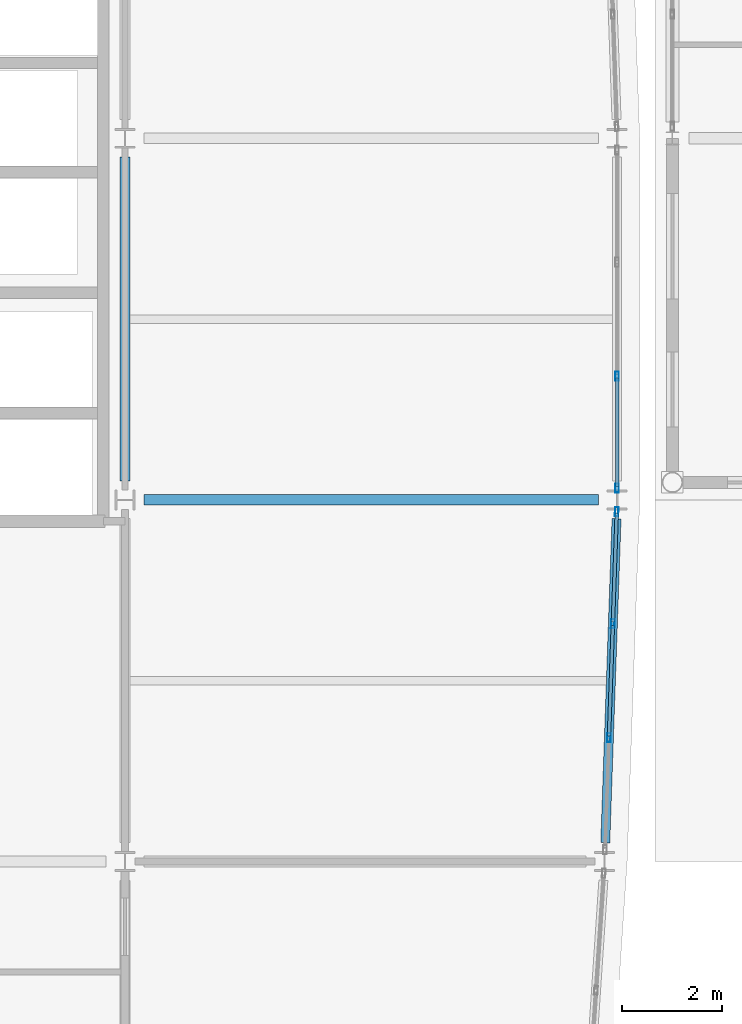
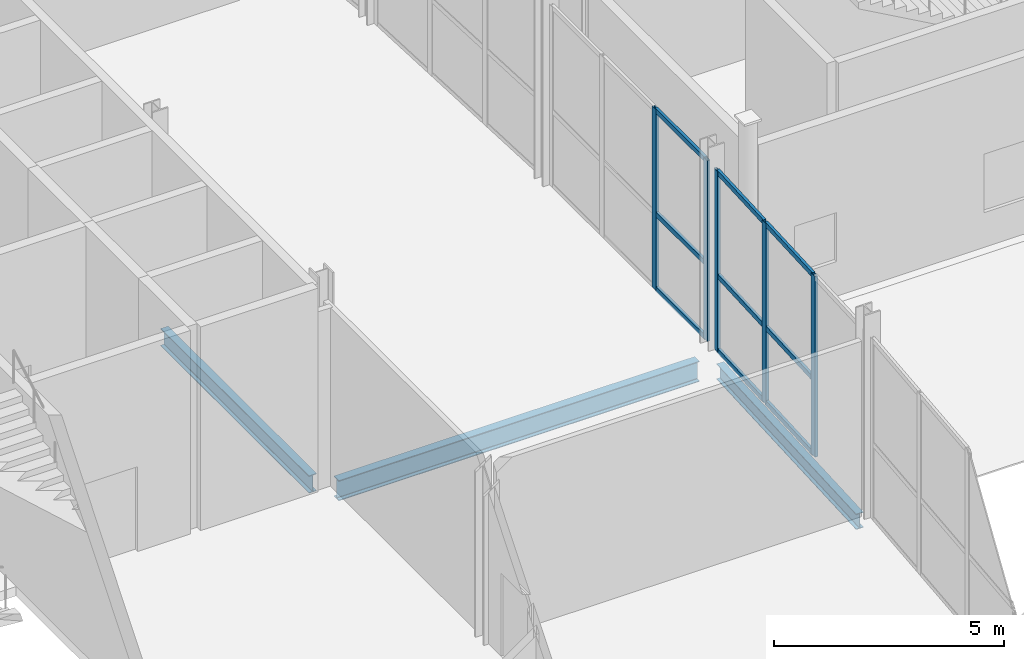
# One storey, part 27 of 83: 14 members, 3 beams, 2 elements without a shape of their own.
"""IFC4 building model written with IfcOpenShell, lengths in metres."""

import ifcopenshell
import ifcopenshell.guid

model = None  # the IFC model being written
_history = None  # IfcOwnerHistory: only IFC2X3 demands one
_inside = {}  # id of a spatial element -> (the spatial element, [elements in it])
_under = {}  # id of a project, library or spatial element -> (it, [spatial elements below it])
_declared = {}  # id of a project -> (the project, [libraries it declares])
_typed = {}  # id of a type object -> (the type object, [elements of that type])
_made_of = {}  # id of a material, layer set ... -> (it, [elements and type objects made of it])


def new_model(schema):
    """Start an empty IFC model of exactly this schema.

    Asked for "IFC4X3", IfcOpenShell would pick the latest addendum, in which some entities
    have other attributes; the version numbers below select the first issue.
    IFC2X3 requires an IfcOwnerHistory on every rooted entity: one is made here for all.
    """
    global model, _history
    if schema == "IFC4X3":
        model = ifcopenshell.file(schema_version=(4, 3, 0, 0))
    else:
        model = ifcopenshell.file(schema=schema)
    _inside.clear()
    _under.clear()
    _declared.clear()
    _typed.clear()
    _made_of.clear()
    _history = None
    if model.schema == "IFC2X3":
        org = make("IfcOrganization", Name="unknown")
        user = make(
            "IfcPersonAndOrganization",
            ThePerson=make("IfcPerson", FamilyName="unknown"),
            TheOrganization=org,
        )
        app = make(
            "IfcApplication",
            ApplicationDeveloper=org,
            Version="unknown",
            ApplicationFullName="unknown",
            ApplicationIdentifier="unknown",
        )
        _history = make(
            "IfcOwnerHistory",
            OwningUser=user,
            OwningApplication=app,
            ChangeAction="ADDED",
            CreationDate=0,
        )
    return model


def make(cls, **values):
    """One entity of the class cls with the attributes given. An attribute that is None is left unset."""
    return model.create_entity(
        cls, **{name: value for name, value in values.items() if value is not None}
    )


def rooted(cls, **values):
    """An entity with a GlobalId (a new one), such as an element, a storey or a relation."""
    return make(cls, GlobalId=ifcopenshell.guid.new(), OwnerHistory=_history, **values)


def si_unit(unit_type, name, prefix=None):
    """IfcSIUnit, for example si_unit("LENGTHUNIT", "METRE", prefix="MILLI")."""
    return make("IfcSIUnit", UnitType=unit_type, Prefix=prefix, Name=name)


def assignment(units):
    """IfcUnitAssignment: the units of a project."""
    return None if units is None else make("IfcUnitAssignment", Units=units)


def point(xyz):
    """IfcCartesianPoint."""
    return None if xyz is None else make("IfcCartesianPoint", Coordinates=xyz)


def direction(xyz):
    """IfcDirection."""
    return None if xyz is None else make("IfcDirection", DirectionRatios=xyz)


def frame(location, z_axis=None, x_axis=None):
    """IfcAxis2Placement3D, a coordinate frame: its origin and axes. An axis left out is left unset."""
    return make(
        "IfcAxis2Placement3D",
        Location=point(location),
        Axis=direction(z_axis),
        RefDirection=direction(x_axis),
    )


def frame_2d(location, x_axis=None):
    """IfcAxis2Placement2D, a coordinate frame in the plane: its origin and x axis."""
    return make(
        "IfcAxis2Placement2D", Location=point(location), RefDirection=direction(x_axis)
    )


def origin():
    """The frame at (0, 0, 0) with its axes left unset."""
    return frame((0.0, 0.0, 0.0))


def origin_2d():
    """The frame at (0, 0) in the plane with its x axis left unset."""
    return frame_2d((0.0, 0.0))


def place(relative_to, where):
    """IfcLocalPlacement: puts the frame where relative to a parent placement (None: the world)."""
    return make(
        "IfcLocalPlacement", PlacementRelTo=relative_to, RelativePlacement=where
    )


def context(
    kind, dimensions, precision=None, world=None, true_north=None, identifier=None
):
    """IfcGeometricRepresentationContext, for example the 3D "Model" context."""
    return make(
        "IfcGeometricRepresentationContext",
        ContextIdentifier=identifier,
        ContextType=kind,
        CoordinateSpaceDimension=dimensions,
        Precision=precision,
        WorldCoordinateSystem=world,
        TrueNorth=true_north,
    )


def subcontext(parent, identifier, kind, view, scale=None):
    """IfcGeometricRepresentationSubContext, for example "Body" below "Model"."""
    return make(
        "IfcGeometricRepresentationSubContext",
        ContextIdentifier=identifier,
        ContextType=kind,
        ParentContext=parent,
        TargetScale=scale,
        TargetView=view,
    )


def project(units=None, contexts=None):
    """IfcProject with its units and contexts."""
    return rooted(
        "IfcProject",
        Name="project",
        RepresentationContexts=contexts,
        UnitsInContext=assignment(units),
    )


def spatial(cls, under=None, at=None, **own):
    """A site, building, storey or space (cls), placed at a placement, below another one or the project."""
    s = rooted(cls, ObjectPlacement=at, **own)
    if under is not None:
        _under.setdefault(under.id(), (under, []))[1].append(s)
    return s


def profile(cls, at=None, kind="AREA", **sizes):
    """A parametric profile (cls). Its sizes go by their IFC names, for example OverallWidth=200.0."""
    return make(cls, ProfileType=kind, Position=at, **sizes)


def hollow_rectangle(**sizes):
    """IfcRectangleHollowProfileDef."""
    return profile("IfcRectangleHollowProfileDef", **sizes)


def i_section(**sizes):
    """IfcIShapeProfileDef."""
    return profile("IfcIShapeProfileDef", **sizes)


def extrude(swept, where, along, depth):
    """IfcExtrudedAreaSolid: the profile swept, set in the frame where, extruded along a direction by depth."""
    return make(
        "IfcExtrudedAreaSolid",
        SweptArea=swept,
        Position=where,
        ExtrudedDirection=direction(along),
        Depth=depth,
    )


def shape(context_of_items, identifier, shape_type, items):
    """IfcShapeRepresentation: the items that make up one representation, for example the "Body"."""
    return make(
        "IfcShapeRepresentation",
        ContextOfItems=context_of_items,
        RepresentationIdentifier=identifier,
        RepresentationType=shape_type,
        Items=items,
    )


def material(Name=None, Category=None):
    """IfcMaterial."""
    return make("IfcMaterial", Name=Name, Category=Category)


def layer(
    of_material, thickness, ventilated=None, Name=None, Category=None, Priority=None
):
    """IfcMaterialLayer: one layer of a wall or slab, of a material (None: an air gap)."""
    return make(
        "IfcMaterialLayer",
        Material=of_material,
        LayerThickness=thickness,
        IsVentilated=ventilated,
        Name=Name,
        Category=Category,
        Priority=Priority,
    )


def layer_set(layers, Name=None):
    """IfcMaterialLayerSet."""
    return make("IfcMaterialLayerSet", MaterialLayers=layers, LayerSetName=Name)


def material_profile(
    of_material, cross_section, Name=None, Category=None, Priority=None
):
    """IfcMaterialProfile: a cross section and its material."""
    return make(
        "IfcMaterialProfile",
        Name=Name,
        Material=of_material,
        Profile=cross_section,
        Priority=Priority,
        Category=Category,
    )


def profile_set(profiles, Name=None, composite=None):
    """IfcMaterialProfileSet."""
    return make(
        "IfcMaterialProfileSet",
        Name=Name,
        MaterialProfiles=profiles,
        CompositeProfile=composite,
    )


def made_of(thing, what):
    """Note that an element or type object is made of a material, layer set ...; save() writes the relation."""
    if what is not None:
        _made_of.setdefault(what.id(), (what, []))[1].append(thing)
    return thing


def type_object(cls, material=None, **own):
    """A type object (cls), such as IfcWallType, which elements share."""
    return made_of(rooted(cls, **own), material)


def element(
    cls,
    number,
    at=None,
    inside=None,
    cuts=None,
    type_object=None,
    material=None,
    context=None,
    identifier="Body",
    shape_type=None,
    held_by="IfcProductDefinitionShape",
    body=None,
    shapes=None,
    **own,
):
    """One element of the class cls, such as IfcWall. Its Tag is "e" and its number.

    at: its placement. inside: the storey or other place that contains it. cuts: it is an
    opening in that element (IfcRelVoidsElement). A single representation is given by context,
    identifier, shape_type and body (its items); several are given by shapes. held_by: the class
    of the entity that holds the representations. save() writes the other relations.
    """
    e = rooted(cls, Tag="e%d" % number, ObjectPlacement=at, **own)
    if body is not None:
        shapes = [shape(context, identifier, shape_type, body)]
    if shapes is not None:
        e.Representation = make(held_by, Representations=shapes)
    if inside is not None:
        _inside.setdefault(inside.id(), (inside, []))[1].append(e)
    if cuts is not None:
        rooted(
            "IfcRelVoidsElement", RelatingBuildingElement=cuts, RelatedOpeningElement=e
        )
    if type_object is not None:
        _typed.setdefault(type_object.id(), (type_object, []))[1].append(e)
    return made_of(e, material)


def aggregate(whole, parts):
    """IfcRelAggregates: a whole, such as a stair, and the parts it consists of."""
    return rooted("IfcRelAggregates", RelatingObject=whole, RelatedObjects=parts)


def save(model, path):
    """Write the relations noted so far, then the file.

    IfcRelAggregates (storeys below a building ...), IfcRelContainedInSpatialStructure (elements
    in a storey), IfcRelDefinesByType, IfcRelAssociatesMaterial and IfcRelDeclares: one each for
    every whole, place, type object, material and project.
    """
    for whole, parts in _under.values():
        aggregate(whole, parts)
    for where, things in _inside.values():
        rooted(
            "IfcRelContainedInSpatialStructure",
            RelatedElements=things,
            RelatingStructure=where,
        )
    for kind, things in _typed.values():
        rooted("IfcRelDefinesByType", RelatedObjects=things, RelatingType=kind)
    for what, things in _made_of.values():
        rooted("IfcRelAssociatesMaterial", RelatedObjects=things, RelatingMaterial=what)
    for by, libraries in _declared.values():
        rooted("IfcRelDeclares", RelatingContext=by, RelatedDefinitions=libraries)
    model.write(path)


model = new_model("IFC4")

# Units and contexts
model_context = context("Model", 3, precision=1e-05, world=origin(), true_north=direction((0.0, 1.0)))
body_context = subcontext(model_context, "Body", "Model", "MODEL_VIEW")
ifc_project = project(units=[si_unit("LENGTHUNIT", "METRE"), si_unit("AREAUNIT", "SQUARE_METRE"), si_unit("VOLUMEUNIT", "CUBIC_METRE"), si_unit("PLANEANGLEUNIT", "RADIAN"), si_unit("MASSUNIT", "GRAM", prefix="KILO")], contexts=[model_context])

# Site, building, storey
site_placement = place(None, origin())
site = spatial("IfcSite", under=ifc_project, at=site_placement, CompositionType="ELEMENT")
building_placement = place(site_placement, origin())
building = spatial("IfcBuilding", under=site, at=building_placement, Name="Quillay Park Conservatory", CompositionType="ELEMENT")
storey_placement = place(building_placement, origin())
storey = spatial("IfcBuildingStorey", under=building, at=storey_placement, Name="L00", CompositionType="ELEMENT", Elevation=0.0)

# Curtain wall, members
ifc_material_1 = material(Name="Thermally Broken Anodised Aluminium 6063-T6", Category="aluminium")
ifc_layer = layer(ifc_material_1, 0.179931640625)
ifc_layer_set = layer_set([ifc_layer], Name="UNITISED CURTAIN WALL TOWER (Thermally Broken Anodised Aluminium 6063-T6)")
curtain_wall_type = type_object("IfcCurtainWallType", Name="UNITISED CURTAIN WALL TOWER", PredefinedType="USERDEFINED", material=ifc_layer_set)
curtain_wall_1_placement = place(storey_placement, origin())
curtain_wall_1 = element("IfcCurtainWall", 1, at=curtain_wall_1_placement, inside=storey, type_object=curtain_wall_type, Name="L00 Unitised Curtain Wall 003", ObjectType="UNITISED CURTAIN WALL", PredefinedType="USERDEFINED")
ifc_material_2 = material(Name="Thermally Broken Anodised Aluminium 6063-T6", Category="aluminium")
ifc_material_profile_1 = material_profile(ifc_material_2, hollow_rectangle(XDim=0.070068359375, YDim=0.179931640625, WallThickness=0.00390625, at=origin_2d()), Name="AL70x180x4")
ifc_profile_set_1 = profile_set([ifc_material_profile_1], Name="Thermally Broken Anodised Aluminium 6063-T6")
member_type_1 = type_object("IfcMemberType", Name="CURTAIN WALL MULLION 70 X180", PredefinedType="MULLION", material=ifc_profile_set_1)
member_1_placement = place(storey_placement, frame((29.5419921875, 84.965087890625, 0.0), z_axis=(0.0, 0.0, 1.0), x_axis=(0.999397310446, -0.034713338537, 0.0)))
member_1 = element("IfcMember", 2, at=member_1_placement, type_object=member_type_1, Name="CW-T1 mullion 1", PredefinedType="MULLION", context=body_context, shape_type="SweptSolid", body=[
    extrude(hollow_rectangle(XDim=0.070068359375, YDim=0.179931640625, WallThickness=0.00390625, at=origin_2d()), origin(), (0.0, 0.0, 1.0), 4.7890625),
])
member_2_placement = place(storey_placement, frame((29.46435546875, 82.7333984375, 0.0), z_axis=(0.0, 0.0, 1.0), x_axis=(0.999397310446, -0.034713338537, 0.0)))
member_2 = element("IfcMember", 3, at=member_2_placement, type_object=member_type_1, Name="CW-T1 mullion 2", PredefinedType="MULLION", context=body_context, shape_type="SweptSolid", body=[
    extrude(hollow_rectangle(XDim=0.070068359375, YDim=0.179931640625, WallThickness=0.00390625, at=origin_2d()), origin(), (0.0, 0.0, 1.0), 4.7890625),
])
member_3_placement = place(storey_placement, frame((29.3857421875, 80.466552734375, 0.0), z_axis=(0.0, 0.0, 1.0), x_axis=(0.999397310446, -0.034713338537, 0.0)))
member_3 = element("IfcMember", 4, at=member_3_placement, type_object=member_type_1, Name="CW-T1 mullion 3", PredefinedType="MULLION", context=body_context, shape_type="SweptSolid", body=[
    extrude(hollow_rectangle(XDim=0.070068359375, YDim=0.179931640625, WallThickness=0.00390625, at=origin_2d()), origin(), (0.0, 0.0, 1.0), 4.7890625),
])

curtain_wall_2_placement = place(storey_placement, origin())
curtain_wall_2 = element("IfcCurtainWall", 5, at=curtain_wall_2_placement, inside=storey, type_object=curtain_wall_type, Name="L00 Unitised Curtain Wall 004", ObjectType="UNITISED CURTAIN WALL", PredefinedType="USERDEFINED")
member_4_placement = place(storey_placement, frame((29.550048828125, 87.666748046875, 0.0), z_axis=(0.0, 0.0, 1.0), x_axis=(1.0, 0.0, 0.0)))
member_4 = element("IfcMember", 6, at=member_4_placement, type_object=member_type_1, Name="CW-T1 mullion 3", PredefinedType="MULLION", context=body_context, shape_type="SweptSolid", body=[
    extrude(hollow_rectangle(XDim=0.070068359375, YDim=0.179931640625, WallThickness=0.00390625, at=origin_2d()), origin(), (0.0, 0.0, 1.0), 4.7890625),
])
member_5_placement = place(storey_placement, frame((29.550048828125, 85.43505859375, 0.0), z_axis=(0.0, 0.0, 1.0), x_axis=(1.0, 0.0, 0.0)))
member_5 = element("IfcMember", 7, at=member_5_placement, type_object=member_type_1, Name="CW-T1 mullion 4", PredefinedType="MULLION", context=body_context, shape_type="SweptSolid", body=[
    extrude(hollow_rectangle(XDim=0.070068359375, YDim=0.179931640625, WallThickness=0.00390625, at=origin_2d()), origin(), (0.0, 0.0, 1.0), 4.7890625),
])

# Member
ifc_material_3 = material(Name="Thermally Broken Anodised Aluminium 6063-T6", Category="aluminium")
ifc_material_profile_2 = material_profile(ifc_material_3, hollow_rectangle(XDim=0.070068359375, YDim=0.1298828125, WallThickness=0.003173828125, at=origin_2d()), Name="AL70x130x3.2")
ifc_profile_set_2 = profile_set([ifc_material_profile_2], Name="Thermally Broken Anodised Aluminium 6063-T6")
member_type_2 = type_object("IfcMemberType", Name="CURTAIN WALL TRANSOM 70 X130", PredefinedType="USERDEFINED", material=ifc_profile_set_2)
member_6_placement = place(storey_placement, frame((29.540771484375, 84.93017578125, 0.034912109375), z_axis=(-0.034761587249, -0.999395633396, 0.0), x_axis=(0.999395633396, -0.034761587249, 0.0)))
member_6 = element("IfcMember", 8, at=member_6_placement, type_object=member_type_2, Name="CW-T1 transom 1.1", ObjectType="TRANSOM", PredefinedType="USERDEFINED", context=body_context, shape_type="SweptSolid", body=[
    extrude(hollow_rectangle(XDim=0.070068359375, YDim=0.1298828125, WallThickness=0.003173828125, at=origin_2d()), origin(), (0.0, 0.0, 1.0), 2.1630859375),
])

member_7_placement = place(storey_placement, frame((29.540771484375, 84.93017578125, 2.011474609375), z_axis=(-0.034761587249, -0.999395633396, 0.0), x_axis=(0.999395633396, -0.034761587249, 0.0)))
member_7 = element("IfcMember", 9, at=member_7_placement, type_object=member_type_2, Name="CW-T1 transom 1.2", ObjectType="TRANSOM", PredefinedType="USERDEFINED", context=body_context, shape_type="SweptSolid", body=[
    extrude(hollow_rectangle(XDim=0.070068359375, YDim=0.1298828125, WallThickness=0.003173828125, at=origin_2d()), origin(), (0.0, 0.0, 1.0), 2.1630859375),
])

member_8_placement = place(storey_placement, frame((29.540771484375, 84.93017578125, 4.75390625), z_axis=(-0.034761587249, -0.999395633396, 0.0), x_axis=(0.999395633396, -0.034761587249, 0.0)))
member_8 = element("IfcMember", 10, at=member_8_placement, type_object=member_type_2, Name="CW-T1 transom 1.3", ObjectType="TRANSOM", PredefinedType="USERDEFINED", context=body_context, shape_type="SweptSolid", body=[
    extrude(hollow_rectangle(XDim=0.070068359375, YDim=0.1298828125, WallThickness=0.003173828125, at=origin_2d()), origin(), (0.0, 0.0, 1.0), 2.1630859375),
])

member_9_placement = place(storey_placement, frame((29.463134765625, 82.698486328125, 0.034912109375), z_axis=(-0.034653546152, -0.999399385501, 0.0), x_axis=(0.999399385501, -0.034653546152, 0.0)))
member_9 = element("IfcMember", 11, at=member_9_placement, type_object=member_type_2, Name="CW-T1 transom 2.1", ObjectType="TRANSOM", PredefinedType="USERDEFINED", context=body_context, shape_type="SweptSolid", body=[
    extrude(hollow_rectangle(XDim=0.070068359375, YDim=0.1298828125, WallThickness=0.003173828125, at=origin_2d()), origin(), (0.0, 0.0, 1.0), 2.197998046875),
])

member_10_placement = place(storey_placement, frame((29.463134765625, 82.698486328125, 2.011474609375), z_axis=(-0.034653546152, -0.999399385501, 0.0), x_axis=(0.999399385501, -0.034653546152, 0.0)))
member_10 = element("IfcMember", 12, at=member_10_placement, type_object=member_type_2, Name="CW-T1 transom 2.2", ObjectType="TRANSOM", PredefinedType="USERDEFINED", context=body_context, shape_type="SweptSolid", body=[
    extrude(hollow_rectangle(XDim=0.070068359375, YDim=0.1298828125, WallThickness=0.003173828125, at=origin_2d()), origin(), (0.0, 0.0, 1.0), 2.197998046875),
])

member_11_placement = place(storey_placement, frame((29.463134765625, 82.698486328125, 4.75390625), z_axis=(-0.034653546152, -0.999399385501, 0.0), x_axis=(0.999399385501, -0.034653546152, 0.0)))
member_11 = element("IfcMember", 13, at=member_11_placement, type_object=member_type_2, Name="CW-T1 transom 2.3", ObjectType="TRANSOM", PredefinedType="USERDEFINED", context=body_context, shape_type="SweptSolid", body=[
    extrude(hollow_rectangle(XDim=0.070068359375, YDim=0.1298828125, WallThickness=0.003173828125, at=origin_2d()), origin(), (0.0, 0.0, 1.0), 2.197998046875),
])

aggregate(curtain_wall_1, [member_1, member_2, member_3, member_6, member_7, member_8, member_9, member_10, member_11])

member_12_placement = place(storey_placement, frame((29.550048828125, 87.631591796875, 0.034912109375), z_axis=(0.0, -1.0, 0.0), x_axis=(1.0, 0.0, 0.0)))
member_12 = element("IfcMember", 14, at=member_12_placement, type_object=member_type_2, Name="CW-T1 transom 3.1", ObjectType="TRANSOM", PredefinedType="USERDEFINED", context=body_context, shape_type="SweptSolid", body=[
    extrude(hollow_rectangle(XDim=0.070068359375, YDim=0.1298828125, WallThickness=0.003173828125, at=origin_2d()), origin(), (0.0, 0.0, 1.0), 2.16162109375),
])

member_13_placement = place(storey_placement, frame((29.550048828125, 87.631591796875, 2.011474609375), z_axis=(0.0, -1.0, 0.0), x_axis=(1.0, 0.0, 0.0)))
member_13 = element("IfcMember", 15, at=member_13_placement, type_object=member_type_2, Name="CW-T1 transom 3.2", ObjectType="TRANSOM", PredefinedType="USERDEFINED", context=body_context, shape_type="SweptSolid", body=[
    extrude(hollow_rectangle(XDim=0.070068359375, YDim=0.1298828125, WallThickness=0.003173828125, at=origin_2d()), origin(), (0.0, 0.0, 1.0), 2.16162109375),
])

member_14_placement = place(storey_placement, frame((29.550048828125, 87.631591796875, 4.75390625), z_axis=(0.0, -1.0, 0.0), x_axis=(1.0, 0.0, 0.0)))
member_14 = element("IfcMember", 16, at=member_14_placement, type_object=member_type_2, Name="CW-T1 transom 3.3", ObjectType="TRANSOM", PredefinedType="USERDEFINED", context=body_context, shape_type="SweptSolid", body=[
    extrude(hollow_rectangle(XDim=0.070068359375, YDim=0.1298828125, WallThickness=0.003173828125, at=origin_2d()), origin(), (0.0, 0.0, 1.0), 2.16162109375),
])

aggregate(curtain_wall_2, [member_4, member_5, member_12, member_13, member_14])

# Beams
ifc_material_4 = material(Name="Steel ASTM A992 Grade 50", Category="steel")
ifc_material_profile_3 = material_profile(ifc_material_4, i_section(OverallWidth=0.179931640625, OverallDepth=0.4130859375, WebThickness=0.009765625, FlangeThickness=0.01611328125, FilletRadius=0.011962890625, at=origin_2d()), Name="W410x74")
ifc_profile_set_3 = profile_set([ifc_material_profile_3], Name="Steel ASTM A992 Grade 50")
beam_type_1 = type_object("IfcBeamType", Name="PERIMETER SPANDREL BEAM W410 X74", PredefinedType="SPANDREL", material=ifc_profile_set_3)
beam_1_placement = place(storey_placement, frame((29.31298828125, 78.374755859375, -0.45654296875), z_axis=(0.034724135599, 0.99939693536, 0.0), x_axis=(-0.99939693536, 0.034724135599, 0.0)))
element("IfcBeam", 17, at=beam_1_placement, inside=storey, type_object=beam_type_1, Name="L00 beam BM-SPE-0080", PredefinedType="SPANDREL", context=body_context, shape_type="SweptSolid", body=[
    extrude(i_section(OverallWidth=0.179931640625, OverallDepth=0.4130859375, WebThickness=0.009765625, FlangeThickness=0.01611328125, FilletRadius=0.011962890625, at=origin_2d()), origin(), (0.0, 0.0, 1.0), 6.454345703125),
])
ifc_material_5 = material(Name="Steel ASTM A992 Grade 50", Category="steel")
ifc_material_profile_4 = material_profile(ifc_material_5, i_section(OverallWidth=0.19189453125, OverallDepth=0.462890625, WebThickness=0.010498046875, FlangeThickness=0.017578125, FilletRadius=0.012939453125, at=origin_2d()), Name="W460x89")
ifc_profile_set_4 = profile_set([ifc_material_profile_4], Name="Steel ASTM A992 Grade 50")
beam_type_2 = type_object("IfcBeamType", Name="PRIMARY FLOOR GIRDER W460 X89", PredefinedType="BEAM", material=ifc_profile_set_4)
beam_2_placement = place(storey_placement, frame((19.75, 85.574951171875, -0.4814453125), z_axis=(0.0, 1.0, 0.0), x_axis=(-1.0, 0.0, 0.0)))
element("IfcBeam", 18, at=beam_2_placement, inside=storey, type_object=beam_type_2, Name="L00 beam BM-GNS-0087", PredefinedType="BEAM", context=body_context, shape_type="SweptSolid", body=[
    extrude(i_section(OverallWidth=0.19189453125, OverallDepth=0.462890625, WebThickness=0.010498046875, FlangeThickness=0.017578125, FilletRadius=0.012939453125, at=origin_2d()), origin(), (0.0, 0.0, 1.0), 6.449951171875),
])
ifc_material_6 = material(Name="Steel ASTM A992 Grade 50", Category="steel")
ifc_material_profile_5 = material_profile(ifc_material_6, i_section(OverallWidth=0.2109375, OverallDepth=0.5390625, WebThickness=0.01171875, FlangeThickness=0.018798828125, FilletRadius=0.013916015625, at=origin_2d()), Name="W530x109")
ifc_profile_set_5 = profile_set([ifc_material_profile_5], Name="Steel ASTM A992 Grade 50")
beam_type_3 = type_object("IfcBeamType", Name="PRIMARY FLOOR GIRDER W530 X109", PredefinedType="BEAM", material=ifc_profile_set_5)
beam_3_placement = place(storey_placement, frame((20.125, 85.199951171875, -0.51953125), z_axis=(1.0, 0.0, 0.0), x_axis=(0.0, 1.0, 0.0)))
element("IfcBeam", 19, at=beam_3_placement, inside=storey, type_object=beam_type_3, Name="L00 beam BM-G-0057", PredefinedType="BEAM", context=body_context, shape_type="SweptSolid", body=[
    extrude(i_section(OverallWidth=0.2109375, OverallDepth=0.5390625, WebThickness=0.01171875, FlangeThickness=0.018798828125, FilletRadius=0.013916015625, at=origin_2d()), origin(), (0.0, 0.0, 1.0), 9.050048828125),
])

save(model, "model.ifc")
